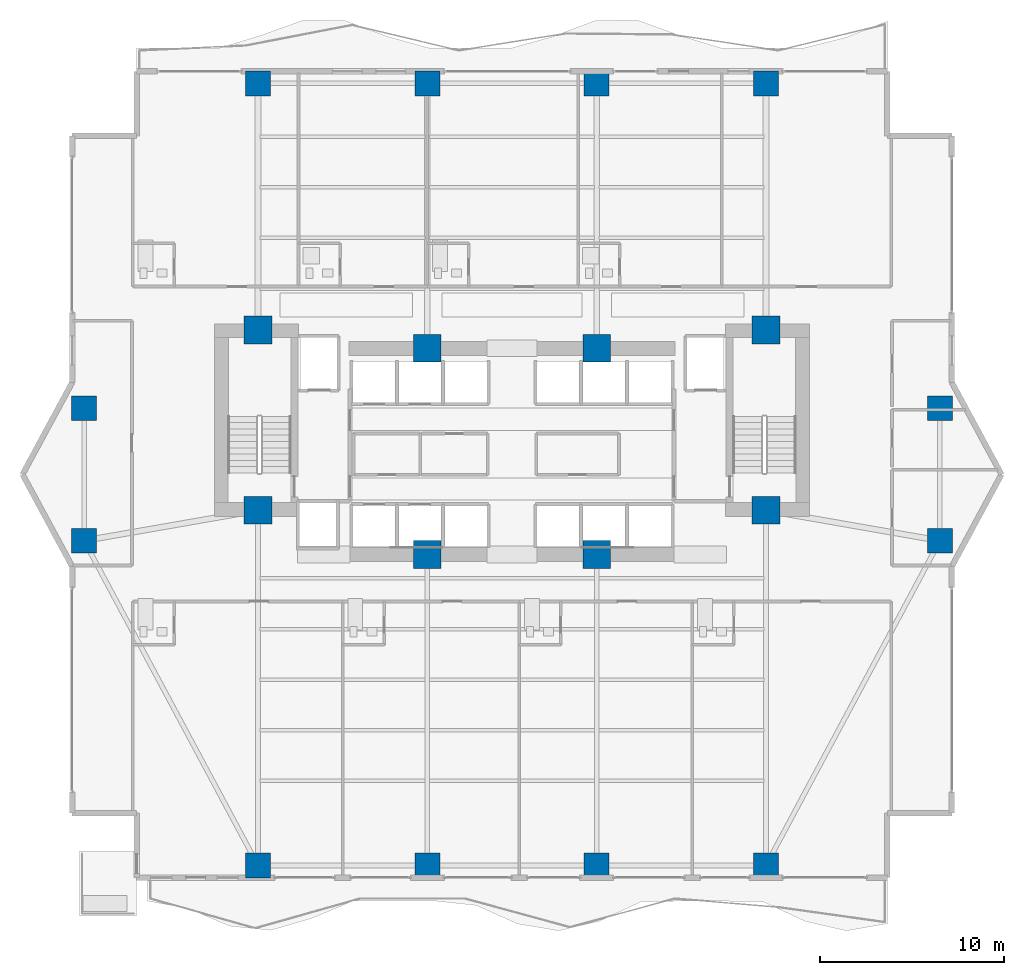
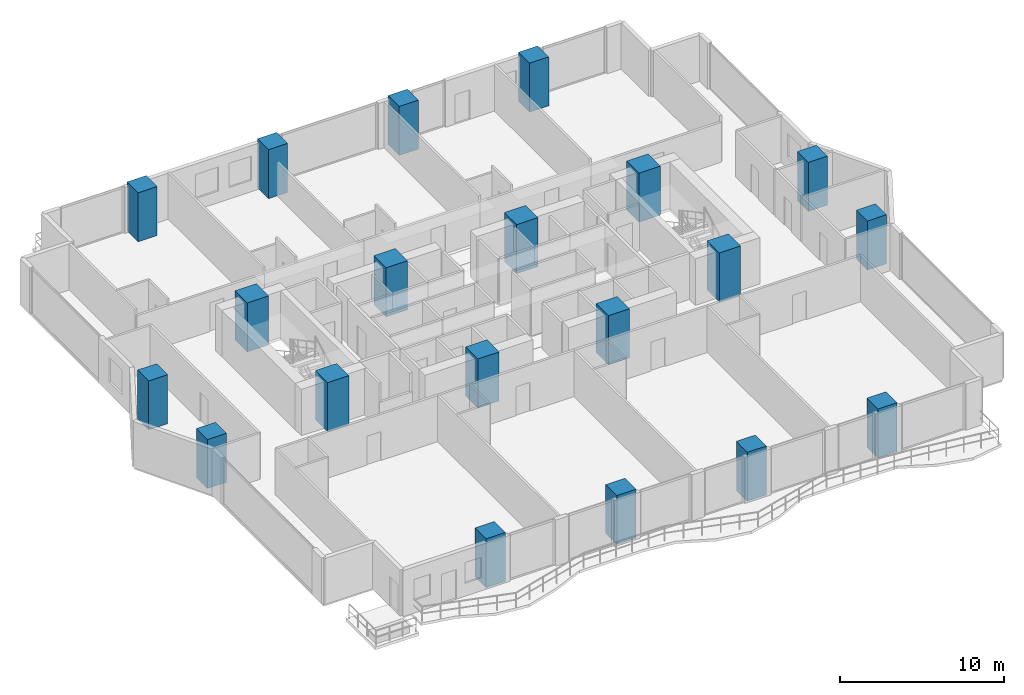
# One storey, part 1 of 27: 20 columns.
"""IFC4 building model written with IfcOpenShell, lengths in metres."""

from ifc_helpers import new_model, si_unit, direction, frame, origin, origin_2d, place, context, subcontext, project, spatial, rectangle, extrude, material, material_profile, profile_set, type_object, element, save


model = new_model("IFC4")

# Units and contexts
model_context = context("Model", 3, precision=1e-05, world=origin(), true_north=direction((0.0, 1.0)))
body_context = subcontext(model_context, "Body", "Model", "MODEL_VIEW")
ifc_project = project(units=[si_unit("LENGTHUNIT", "METRE"), si_unit("AREAUNIT", "SQUARE_METRE"), si_unit("VOLUMEUNIT", "CUBIC_METRE"), si_unit("PLANEANGLEUNIT", "RADIAN"), si_unit("MASSUNIT", "GRAM", prefix="KILO")], contexts=[model_context])

# Site, building, storey
site_placement = place(None, origin())
site = spatial("IfcSite", under=ifc_project, at=site_placement, CompositionType="ELEMENT")
building_placement = place(site_placement, origin())
building = spatial("IfcBuilding", under=site, at=building_placement, Name="Zuhayl Quay Hotel", CompositionType="ELEMENT")
storey_placement = place(building_placement, frame((0.0, 0.0, 124.85009765625)))
storey = spatial("IfcBuildingStorey", under=building, at=storey_placement, Name="L31", CompositionType="ELEMENT", Elevation=124.85009765625)

# Columns
ifc_material = material(Name="Concrete C70/85", Category="concrete")
ifc_material_profile_1 = material_profile(ifc_material, rectangle(XDim=1.5, YDim=1.5, at=origin_2d()), Name="RC1500X1500")
ifc_profile_set_1 = profile_set([ifc_material_profile_1], Name="Concrete C70/85")
column_type_1 = type_object("IfcColumnType", Name="CL_CC1_1500", PredefinedType="COLUMN", material=ifc_profile_set_1)
for number, where, z_axis, x_axis, name in (
    (1, (-13.800048828125, 14.35009765625, 0.0), (0.0, 0.0, 1.0), (1.0, 0.0, 0.0), "L31 Core Column CC_NW"),
    (2, (-4.60009765625, 13.35009765625, 0.0), (0.0, 0.0, 1.0), (1.0, 0.0, 0.0), "L31 Core Column CC_CNW"),
    (3, (4.60009765625, 13.35009765625, 0.0), (0.0, 0.0, 1.0), (1.0, 0.0, 0.0), "L31 Core Column CC_CNE"),
    (4, (13.800048828125, 14.35009765625, 0.0), (0.0, 0.0, 1.0), (1.0, 0.0, 0.0), "L31 Core Column CC_NE"),
    (5, (-13.800048828125, 4.550048828125, 0.0), (0.0, 0.0, 1.0), (1.0, 0.0, 0.0), "L31 Core Column CC_SW"),
    (6, (-4.60009765625, 2.14990234375, 0.0), (0.0, 0.0, 1.0), (1.0, 0.0, 0.0), "L31 Core Column CC_CSW"),
    (7, (4.60009765625, 2.14990234375, 0.0), (0.0, 0.0, 1.0), (1.0, 0.0, 0.0), "L31 Core Column CC_CSE"),
    (8, (13.800048828125, 4.550048828125, 0.0), (0.0, 0.0, 1.0), (1.0, 0.0, 0.0), "L31 Core Column CC_SE"),
):
    element("IfcColumn", number, at=place(storey_placement, frame(where, z_axis=z_axis, x_axis=x_axis)), inside=storey, type_object=column_type_1, Name=name, PredefinedType="COLUMN", context=body_context, shape_type="SweptSolid", body=[
        extrude(rectangle(XDim=1.5, YDim=1.5, at=origin_2d()), origin(), (0.0, 0.0, 1.0), 3.64990234375),
    ])
ifc_material_profile_2 = material_profile(ifc_material, rectangle(XDim=1.35009765625, YDim=1.35009765625, at=origin_2d()), Name="RC1350X1350")
ifc_profile_set_2 = profile_set([ifc_material_profile_2], Name="Concrete C70/85")
column_type_2 = type_object("IfcColumnType", Name="CL_MC2_1350", PredefinedType="COLUMN", material=ifc_profile_set_2)
for number, where, z_axis, x_axis, name in (
    (9, (-13.800048828125, -14.75, 0.0), (0.0, 0.0, 1.0), (1.0, 0.0, 0.0), "L31 Mega-Column MC_S1"),
    (10, (-4.60009765625, -14.75, 0.0), (0.0, 0.0, 1.0), (1.0, 0.0, 0.0), "L31 Mega-Column MC_S2"),
    (11, (4.60009765625, -14.75, 0.0), (0.0, 0.0, 1.0), (1.0, 0.0, 0.0), "L31 Mega-Column MC_S3"),
    (12, (13.800048828125, -14.75, 0.0), (0.0, 0.0, 1.0), (1.0, 0.0, 0.0), "L31 Mega-Column MC_S4"),
    (13, (-13.800048828125, 27.75, 0.0), (0.0, 0.0, 1.0), (1.0, 0.0, 0.0), "L31 Mega-Column MC_N1"),
    (14, (-4.60009765625, 27.75, 0.0), (0.0, 0.0, 1.0), (1.0, 0.0, 0.0), "L31 Mega-Column MC_N2"),
    (15, (4.60009765625, 27.75, 0.0), (0.0, 0.0, 1.0), (1.0, 0.0, 0.0), "L31 Mega-Column MC_N3"),
    (16, (13.800048828125, 27.75, 0.0), (0.0, 0.0, 1.0), (1.0, 0.0, 0.0), "L31 Mega-Column MC_N4"),
    (17, (-23.25, 2.89990234375, 0.0), (0.0, 0.0, 1.0), (1.0, 0.0, 0.0), "L31 Mega-Column MC_W1"),
    (18, (-23.25, 10.10009765625, 0.0), (0.0, 0.0, 1.0), (1.0, 0.0, 0.0), "L31 Mega-Column MC_W2"),
    (19, (23.25, 2.89990234375, 0.0), (0.0, 0.0, 1.0), (1.0, 0.0, 0.0), "L31 Mega-Column MC_E1"),
    (20, (23.25, 10.10009765625, 0.0), (0.0, 0.0, 1.0), (1.0, 0.0, 0.0), "L31 Mega-Column MC_E2"),
):
    element("IfcColumn", number, at=place(storey_placement, frame(where, z_axis=z_axis, x_axis=x_axis)), inside=storey, type_object=column_type_2, Name=name, PredefinedType="COLUMN", context=body_context, shape_type="SweptSolid", body=[
        extrude(rectangle(XDim=1.35009765625, YDim=1.35009765625, at=origin_2d()), origin(), (0.0, 0.0, 1.0), 3.64990234375),
    ])

save(model, "model.ifc")
